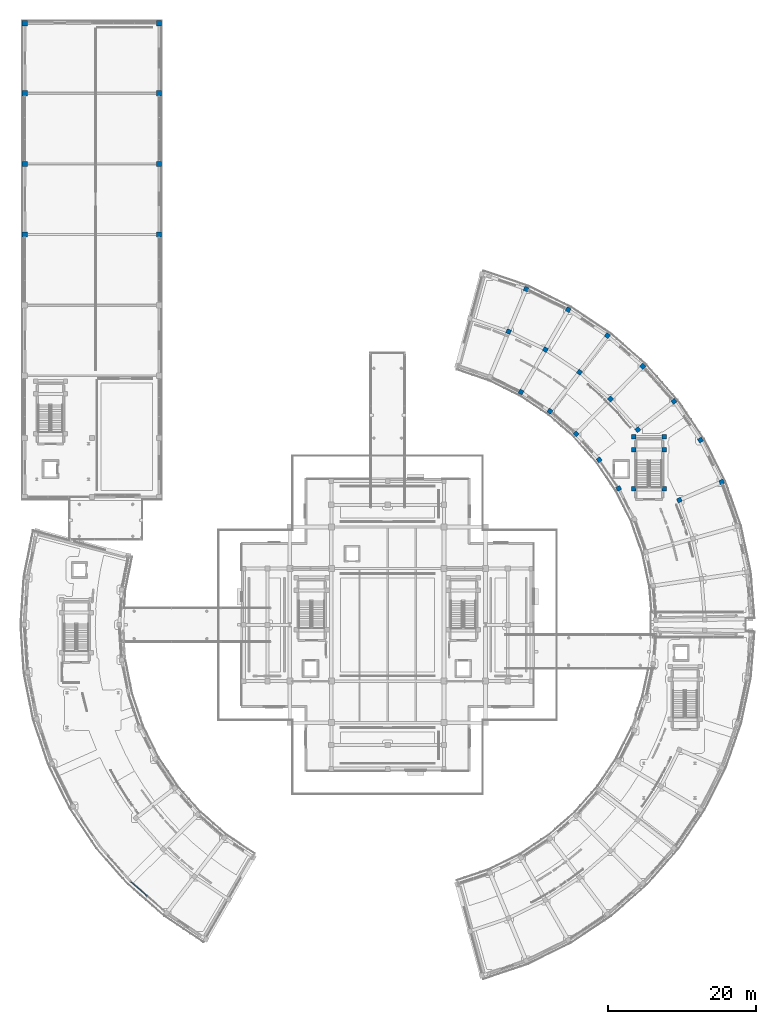
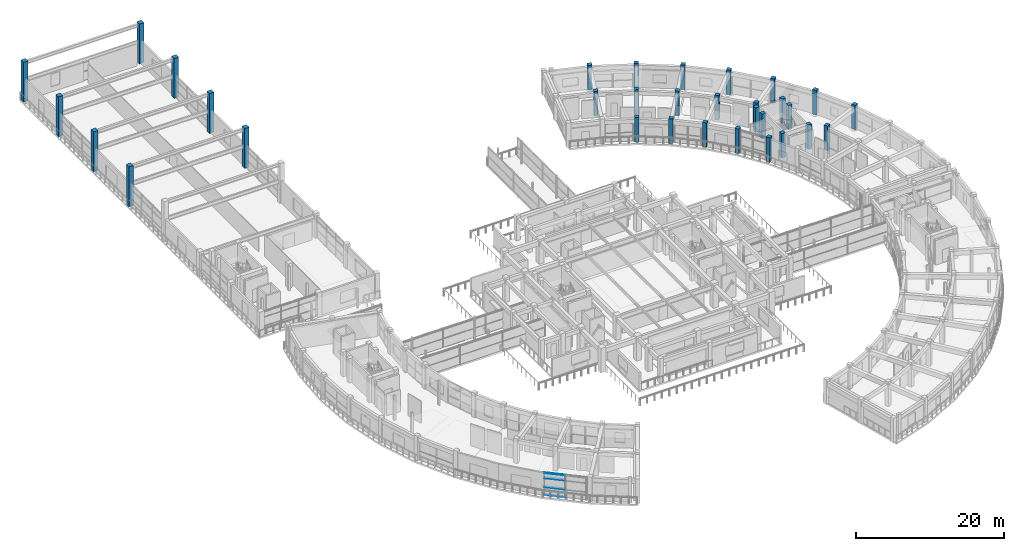
# One storey, part 11 of 72: 32 columns, 4 members, 1 element without a shape of its own.
"""IFC4 building model written with IfcOpenShell, lengths in metres."""

from ifc_helpers import new_model, si_unit, direction, frame, origin, origin_2d, place, context, subcontext, project, spatial, rectangle, extrude, material, material_profile, profile_set, type_object, element, aggregate, save


model = new_model("IFC4")

# Units and contexts
model_context = context("Model", 3, precision=1e-05, world=origin(), true_north=direction((0.0, 1.0)))
body_context = subcontext(model_context, "Body", "Model", "MODEL_VIEW")
ifc_project = project(units=[si_unit("LENGTHUNIT", "METRE"), si_unit("AREAUNIT", "SQUARE_METRE"), si_unit("VOLUMEUNIT", "CUBIC_METRE"), si_unit("PLANEANGLEUNIT", "RADIAN"), si_unit("MASSUNIT", "GRAM", prefix="KILO")], contexts=[model_context])

# Site, building, storey
site_placement = place(None, origin())
site = spatial("IfcSite", under=ifc_project, at=site_placement, CompositionType="ELEMENT")
building_placement = place(site_placement, origin())
building = spatial("IfcBuilding", under=site, at=building_placement, Name="Saryqyr Civic Hall", CompositionType="ELEMENT")
storey_placement = place(building_placement, frame((0.0, 0.0, 17.25)))
storey = spatial("IfcBuildingStorey", under=building, at=storey_placement, Name="L04", CompositionType="ELEMENT", Elevation=17.25)

# Columns
ifc_material_1 = material(Name="Concrete C40/50", Category="concrete")
ifc_material_profile_1 = material_profile(ifc_material_1, rectangle(XDim=0.60009765625, YDim=0.60009765625, at=origin_2d()), Name="RC 600x600")
ifc_profile_set_1 = profile_set([ifc_material_profile_1], Name="Concrete C40/50")
column_type_1 = type_object("IfcColumnType", Name="STR-COL-RC600-C40", PredefinedType="COLUMN", material=ifc_profile_set_1)
for number, where, z_axis, x_axis, name in (
    (1, (96.349365234375, 100.836669921875, 0.0), (0.0, 0.0, 1.0), (0.919410138581, 0.393300136124, 0.0), "Column V6-COL-MID03-L04"),
    (2, (102.04931640625, 103.275634765625, 0.0), (0.0, 0.0, 1.0), (0.919410138581, 0.393300136124, 0.0), "Column V6-COL-OUT03-L04"),
    (3, (88.16845703125, 102.410888671875, 0.0), (0.0, 0.0, 1.0), (0.861008442465, 0.508590662521, 0.0), "Column V6-COL-IN04-L04"),
    (4, (99.189453125, 108.9208984375, 0.0), (0.0, 0.0, 1.0), (0.861008442465, 0.508590662521, 0.0), "Column V6-COL-OUT04-L04"),
    (5, (85.53564453125, 106.2744140625, 0.0), (0.0, 0.0, 1.0), (0.78822561199, 0.615386370179, 0.0), "Column V6-COL-IN05-L04"),
    (6, (90.73828125, 110.335693359375, 0.0), (0.0, 0.0, 1.0), (0.78822561199, 0.615386370179, 0.0), "Column V6-COL-MID05-L04"),
    (7, (95.625732421875, 114.150634765625, 0.0), (0.0, 0.0, 1.0), (0.78822561199, 0.615386370179, 0.0), "Column V6-COL-OUT05-L04"),
    (8, (82.427001953125, 109.7666015625, 0.0), (0.0, 0.0, 1.0), (0.70240155419, 0.711780904964, 0.0), "Column V6-COL-IN06-L04"),
    (9, (87.062744140625, 114.464111328125, 0.0), (0.0, 0.0, 1.0), (0.70240155419, 0.711780904964, 0.0), "Column V6-COL-MID06-L04"),
    (10, (91.417724609375, 118.877197265625, 0.0), (0.0, 0.0, 1.0), (0.70240155419, 0.711780904964, 0.0), "Column V6-COL-OUT06-L04"),
    (11, (78.89404296875, 112.82861328125, 0.0), (0.0, 0.0, 1.0), (0.60473812635, 0.796424383441, 0.0), "Column V6-COL-IN07-L04"),
    (12, (82.8857421875, 118.084716796875, 0.0), (0.0, 0.0, 1.0), (0.60473812635, 0.796424383441, 0.0), "Column V6-COL-MID07-L04"),
    (13, (86.635498046875, 123.022216796875, 0.0), (0.0, 0.0, 1.0), (0.60473812635, 0.796424383441, 0.0), "Column V6-COL-OUT07-L04"),
    (14, (74.995849609375, 115.409912109375, 0.0), (0.0, 0.0, 1.0), (0.4971254071, 0.867678701833, 0.0), "Column V6-COL-IN08-L04"),
    (15, (78.277099609375, 121.13671875, 0.0), (0.0, 0.0, 1.0), (0.4971254071, 0.867678701833, 0.0), "Column V6-COL-MID08-L04"),
    (16, (81.359130859375, 126.516357421875, 0.0), (0.0, 0.0, 1.0), (0.4971254071, 0.867678701833, 0.0), "Column V6-COL-OUT08-L04"),
    (17, (73.313232421875, 123.569091796875, 0.0), (0.0, 0.0, 1.0), (0.381231734269, 0.924479510204, 0.0), "Column V6-COL-MID09-L04"),
    (18, (75.676513671875, 129.301025390625, 0.0), (0.0, 0.0, 1.0), (0.381231734269, 0.924479510204, 0.0), "Column V6-COL-OUT09-L04"),
    (19, (94.340087890625, 102.3349609375, 0.0), (0.0, 0.0, 1.0), (1.0, 0.0, 0.0), "Column ST-6-SCOL-TRMA-L04"),
    (20, (90.219970703125, 102.3349609375, 0.0), (0.0, 0.0, 1.0), (1.0, 0.0, 0.0), "Column ST-6-SCOL-TRMB-L04"),
    (21, (94.340087890625, 107.64990234375, 0.0), (0.0, 0.0, 1.0), (1.0, 0.0, 0.0), "Column ST-6-SCOL-LND1A-L04"),
    (22, (90.219970703125, 107.64990234375, 0.0), (0.0, 0.0, 1.0), (1.0, 0.0, 0.0), "Column ST-6-SCOL-LND1B-L04"),
    (23, (94.340087890625, 109.3798828125, 0.0), (0.0, 0.0, 1.0), (1.0, 0.0, 0.0), "Column ST-6-SCOL-LND2A-L04"),
    (24, (90.219970703125, 109.3798828125, 0.0), (0.0, 0.0, 1.0), (1.0, 0.0, 0.0), "Column ST-6-SCOL-LND2B-L04"),
):
    element("IfcColumn", number, at=place(storey_placement, frame(where, z_axis=z_axis, x_axis=x_axis)), inside=storey, type_object=column_type_1, Name=name, PredefinedType="COLUMN", context=body_context, shape_type="SweptSolid", body=[
        extrude(rectangle(XDim=0.60009765625, YDim=0.60009765625, at=origin_2d()), origin(), (0.0, 0.0, 1.0), 4.050048828125),
    ])
ifc_material_profile_2 = material_profile(ifc_material_1, rectangle(XDim=0.699951171875, YDim=0.699951171875, at=origin_2d()), Name="RC 700x700")
ifc_profile_set_2 = profile_set([ifc_material_profile_2], Name="Concrete C40/50")
column_type_2 = type_object("IfcColumnType", Name="STR-COL-RC700-C40", PredefinedType="COLUMN", material=ifc_profile_set_2)
for number, where, z_axis, x_axis, name in (
    (25, (8.050048828125, 136.659912109375, 0.0), (0.0, 0.0, 1.0), (1.0, 0.0, 0.0), "Column V3-COL-15-L04"),
    (26, (8.050048828125, 146.18994140625, 0.0), (0.0, 0.0, 1.0), (1.0, 0.0, 0.0), "Column V3-COL-16-L04"),
    (27, (8.050048828125, 155.719970703125, 0.0), (0.0, 0.0, 1.0), (1.0, 0.0, 0.0), "Column V3-COL-17-L04"),
    (28, (8.050048828125, 165.14990234375, 0.0), (0.0, 0.0, 1.0), (1.0, 0.0, 0.0), "Column V3-COL-18-L04"),
    (29, (26.14990234375, 136.659912109375, 0.0), (0.0, 0.0, 1.0), (1.0, 0.0, 0.0), "Column V3-COL-35-L04"),
    (30, (26.14990234375, 146.18994140625, 0.0), (0.0, 0.0, 1.0), (1.0, 0.0, 0.0), "Column V3-COL-36-L04"),
    (31, (26.14990234375, 155.719970703125, 0.0), (0.0, 0.0, 1.0), (1.0, 0.0, 0.0), "Column V3-COL-37-L04"),
    (32, (26.14990234375, 165.14990234375, 0.0), (0.0, 0.0, 1.0), (1.0, 0.0, 0.0), "Column V3-COL-38-L04"),
):
    element("IfcColumn", number, at=place(storey_placement, frame(where, z_axis=z_axis, x_axis=x_axis)), inside=storey, type_object=column_type_2, Name=name, PredefinedType="COLUMN", context=body_context, shape_type="SweptSolid", body=[
        extrude(rectangle(XDim=0.699951171875, YDim=0.699951171875, at=origin_2d()), origin(), (0.0, 0.0, 1.0), 6.590087890625),
    ])

# Curtain wall, members
ifc_material_2 = material(Name="Anodised aluminium and triple low-E glass", Category="aluminium")
curtain_wall_type = type_object("IfcCurtainWallType", Name="ENV-CW-STD-29", PredefinedType="NOTDEFINED", material=ifc_material_2)
curtain_wall_placement = place(storey_placement, origin())
curtain_wall = element("IfcCurtainWall", 33, at=curtain_wall_placement, inside=storey, type_object=curtain_wall_type, Name="Curtain wall V4-CWO-L04-08", PredefinedType="NOTDEFINED")
ifc_material_3 = material(Name="Anodised aluminium", Category="aluminium")
ifc_material_profile_3 = material_profile(ifc_material_3, rectangle(XDim=0.1201171875, YDim=0.06005859375, at=origin_2d()), Name="ALU TRANSOM 120x60")
ifc_profile_set_3 = profile_set([ifc_material_profile_3], Name="Anodised aluminium")
member_type = type_object("IfcMemberType", Name="ENV-CW-TRN-150", PredefinedType="USERDEFINED", material=ifc_profile_set_3)
member_1_placement = place(storey_placement, frame((24.568603515625, 47.40771484375, 0.030029296875), z_axis=(-0.751827473684, 0.659359878832, 0.0), x_axis=(-0.659359878832, -0.751827473684, 0.0)))
member_1 = element("IfcMember", 34, at=member_1_placement, type_object=member_type, Name="CW-29 transom 2.1", ObjectType="TRANSOM", PredefinedType="USERDEFINED", context=body_context, shape_type="SweptSolid", body=[
    extrude(rectangle(XDim=0.1201171875, YDim=0.06005859375, at=origin_2d()), origin(), (0.0, 0.0, 1.0), 2.888427734375),
])
member_2_placement = place(storey_placement, frame((24.568603515625, 47.40771484375, 1.33203125), z_axis=(-0.751827473684, 0.659359878832, 0.0), x_axis=(-0.659359878832, -0.751827473684, 0.0)))
member_2 = element("IfcMember", 35, at=member_2_placement, type_object=member_type, Name="CW-29 transom 2.2", ObjectType="TRANSOM", PredefinedType="USERDEFINED", context=body_context, shape_type="SweptSolid", body=[
    extrude(rectangle(XDim=0.1201171875, YDim=0.06005859375, at=origin_2d()), origin(), (0.0, 0.0, 1.0), 2.888427734375),
])
member_3_placement = place(storey_placement, frame((24.568603515625, 47.40771484375, 2.81201171875), z_axis=(-0.751827473684, 0.659359878832, 0.0), x_axis=(-0.659359878832, -0.751827473684, 0.0)))
member_3 = element("IfcMember", 36, at=member_3_placement, type_object=member_type, Name="CW-29 transom 2.3", ObjectType="TRANSOM", PredefinedType="USERDEFINED", context=body_context, shape_type="SweptSolid", body=[
    extrude(rectangle(XDim=0.1201171875, YDim=0.06005859375, at=origin_2d()), origin(), (0.0, 0.0, 1.0), 2.888427734375),
])
member_4_placement = place(storey_placement, frame((24.568603515625, 47.40771484375, 3.669921875), z_axis=(-0.751827473684, 0.659359878832, 0.0), x_axis=(-0.659359878832, -0.751827473684, 0.0)))
member_4 = element("IfcMember", 37, at=member_4_placement, type_object=member_type, Name="CW-29 transom 2.4", ObjectType="TRANSOM", PredefinedType="USERDEFINED", context=body_context, shape_type="SweptSolid", body=[
    extrude(rectangle(XDim=0.1201171875, YDim=0.06005859375, at=origin_2d()), origin(), (0.0, 0.0, 1.0), 2.888427734375),
])
aggregate(curtain_wall, [member_1, member_2, member_3, member_4])

save(model, "model.ifc")
